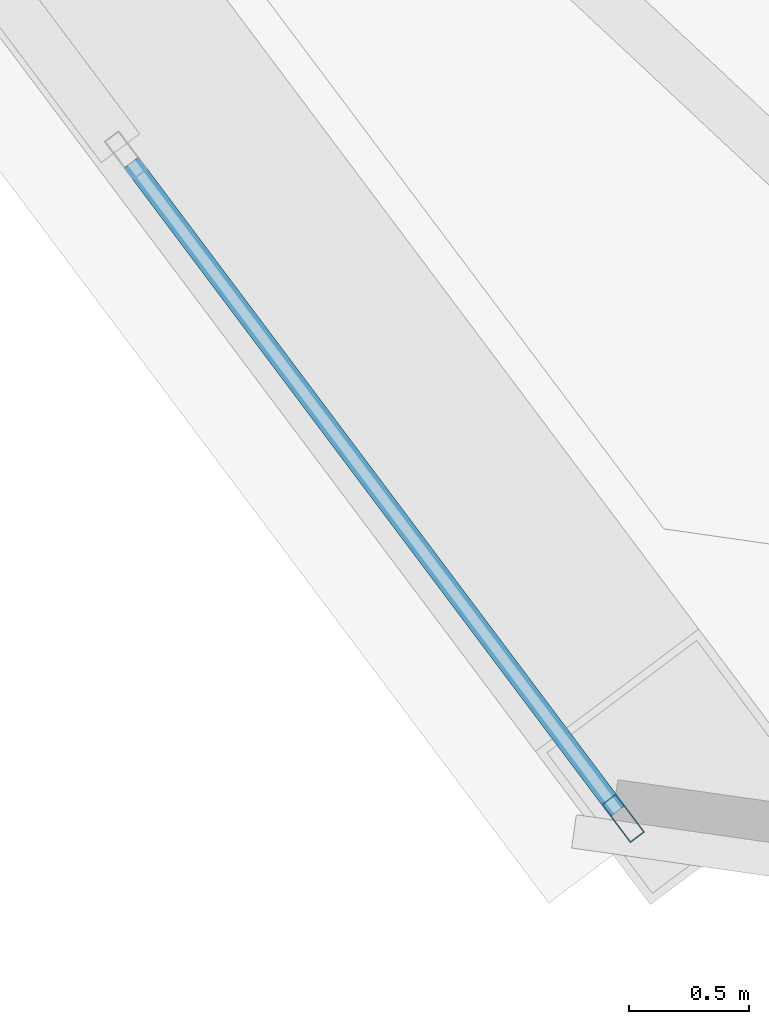
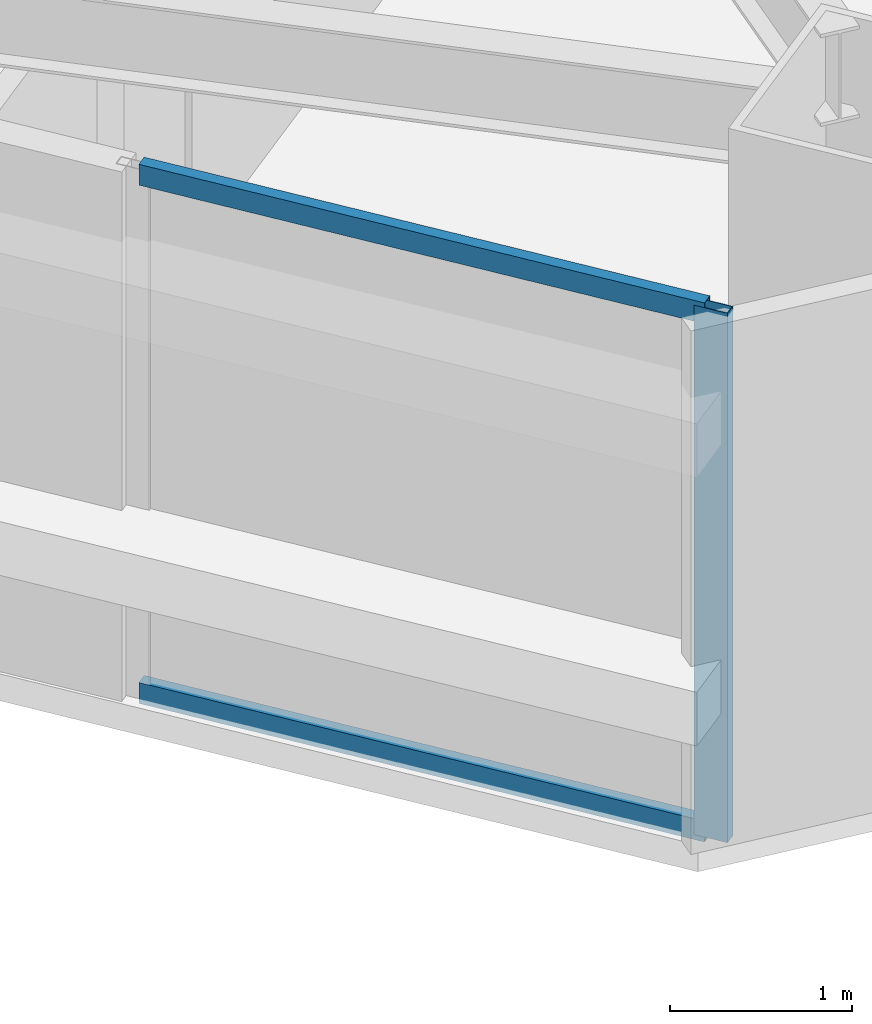
# One storey, part 24 of 54: 3 members, 1 element without a shape of its own.
"""IFC4 building model written with IfcOpenShell, lengths in metres."""

from ifc_helpers import new_model, si_unit, direction, frame, origin, origin_2d, place, context, subcontext, project, spatial, hollow_rectangle, extrude, material, material_profile, profile_set, type_object, element, aggregate, save


model = new_model("IFC4")

# Units and contexts
model_context = context("Model", 3, precision=1e-05, world=origin(), true_north=direction((0.0, 1.0)))
body_context = subcontext(model_context, "Body", "Model", "MODEL_VIEW")
ifc_project = project(units=[si_unit("LENGTHUNIT", "METRE"), si_unit("AREAUNIT", "SQUARE_METRE"), si_unit("VOLUMEUNIT", "CUBIC_METRE"), si_unit("PLANEANGLEUNIT", "RADIAN"), si_unit("MASSUNIT", "GRAM", prefix="KILO")], contexts=[model_context])

# Site, building, storey
site_placement = place(None, origin())
site = spatial("IfcSite", under=ifc_project, at=site_placement, CompositionType="ELEMENT")
building_placement = place(site_placement, origin())
building = spatial("IfcBuilding", under=site, at=building_placement, Name="Tashvorn Skyway Center", CompositionType="ELEMENT")
storey_placement = place(building_placement, frame((0.0, 0.0, 135.699951171875)))
storey = spatial("IfcBuildingStorey", under=building, at=storey_placement, Name="L36", CompositionType="ELEMENT", Elevation=135.699951171875)

# Curtain wall, members
ifc_material = material(Name="Thermally broken bronze-anodized aluminium 6063-T6", Category="aluminium")
curtain_wall_type = type_object("IfcCurtainWallType", Name="CW-CW-Z3", PredefinedType="NOTDEFINED", material=ifc_material)
curtain_wall_placement = place(storey_placement, origin())
curtain_wall = element("IfcCurtainWall", 1, at=curtain_wall_placement, inside=storey, type_object=curtain_wall_type, Name="Tower 2 L36 West Unitised Curtain Wall Glazing Group 1", PredefinedType="NOTDEFINED")
ifc_material_profile_1 = material_profile(ifc_material, hollow_rectangle(XDim=0.074951171875, YDim=0.199951171875, WallThickness=0.00439453125, at=origin_2d()), Name="ALU-MULL-75x200")
ifc_profile_set_1 = profile_set([ifc_material_profile_1], Name="Thermally broken bronze-anodized aluminium 6063-T6")
member_type_1 = type_object("IfcMemberType", Name="CWM-CW-Z3", PredefinedType="MULLION", material=ifc_profile_set_1)
member_1_placement = place(storey_placement, frame((108.881591796875, 8.35791015625, 0.0), z_axis=(0.0, 0.0, 1.0), x_axis=(-0.800003400519, -0.599995465948, 0.0)))
member_1 = element("IfcMember", 2, at=member_1_placement, type_object=member_type_1, Name="CW-Z3 mullion 1", PredefinedType="MULLION", context=body_context, shape_type="SweptSolid", body=[
    extrude(hollow_rectangle(XDim=0.074951171875, YDim=0.199951171875, WallThickness=0.00439453125, at=origin_2d()), origin(), (0.0, 0.0, 1.0), 3.550048828125),
])
ifc_material_profile_2 = material_profile(ifc_material, hollow_rectangle(XDim=0.074951171875, YDim=0.139892578125, WallThickness=0.004150390625, at=origin_2d()), Name="ALU-TRAN-75x140")
ifc_profile_set_2 = profile_set([ifc_material_profile_2], Name="Thermally broken bronze-anodized aluminium 6063-T6")
member_type_2 = type_object("IfcMemberType", Name="CWT-CW-Z3", PredefinedType="USERDEFINED", material=ifc_profile_set_2)
member_2_placement = place(storey_placement, frame((108.85888671875, 8.387939453125, 0.03759765625), z_axis=(-0.599953754218, 0.800034682248, 0.0), x_axis=(-0.800034682248, -0.599953754218, 0.0)))
member_2 = element("IfcMember", 3, at=member_2_placement, type_object=member_type_2, Name="CW-Z3 transom 1.1", ObjectType="TRANSOM", PredefinedType="USERDEFINED", context=body_context, shape_type="SweptSolid", body=[
    extrude(hollow_rectangle(XDim=0.074951171875, YDim=0.139892578125, WallThickness=0.004150390625, at=origin_2d()), origin(), (0.0, 0.0, 1.0), 3.378662109375),
])
member_3_placement = place(storey_placement, frame((108.85888671875, 8.387939453125, 3.512451171875), z_axis=(-0.599953754218, 0.800034682248, 0.0), x_axis=(-0.800034682248, -0.599953754218, 0.0)))
member_3 = element("IfcMember", 4, at=member_3_placement, type_object=member_type_2, Name="CW-Z3 transom 1.2", ObjectType="TRANSOM", PredefinedType="USERDEFINED", context=body_context, shape_type="SweptSolid", body=[
    extrude(hollow_rectangle(XDim=0.074951171875, YDim=0.139892578125, WallThickness=0.004150390625, at=origin_2d()), origin(), (0.0, 0.0, 1.0), 3.378662109375),
])
aggregate(curtain_wall, [member_1, member_2, member_3])

save(model, "model.ifc")
